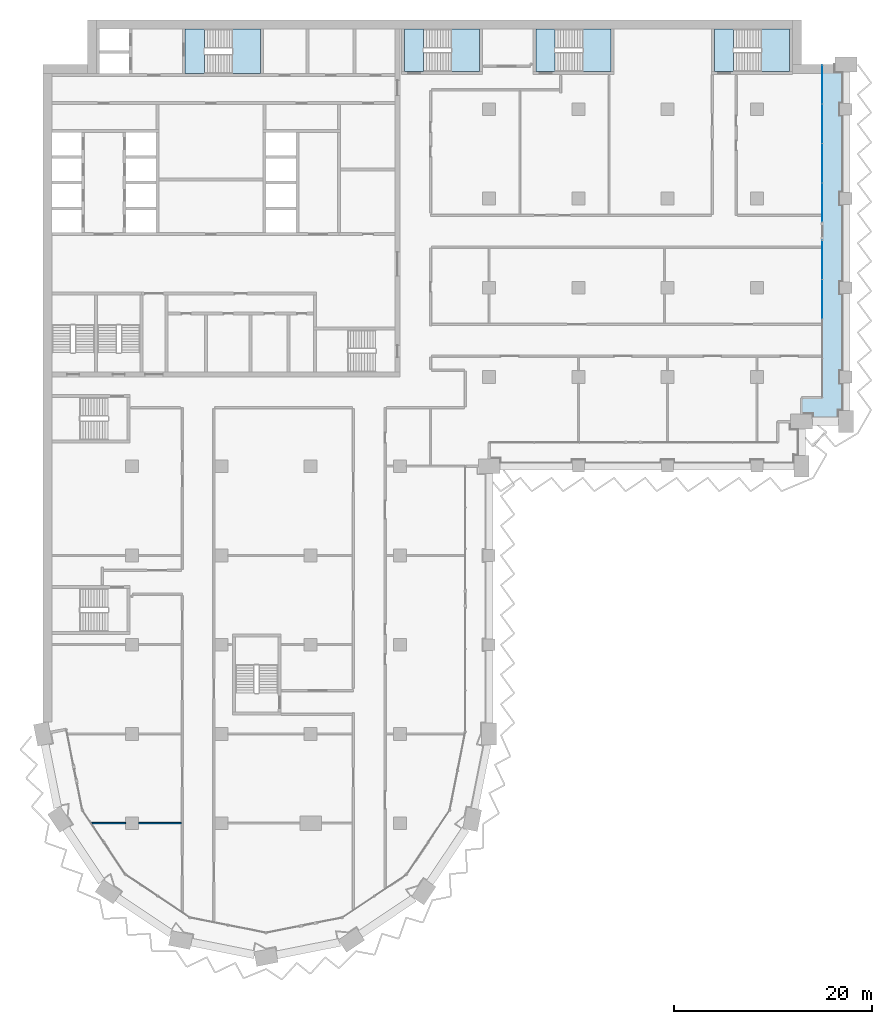
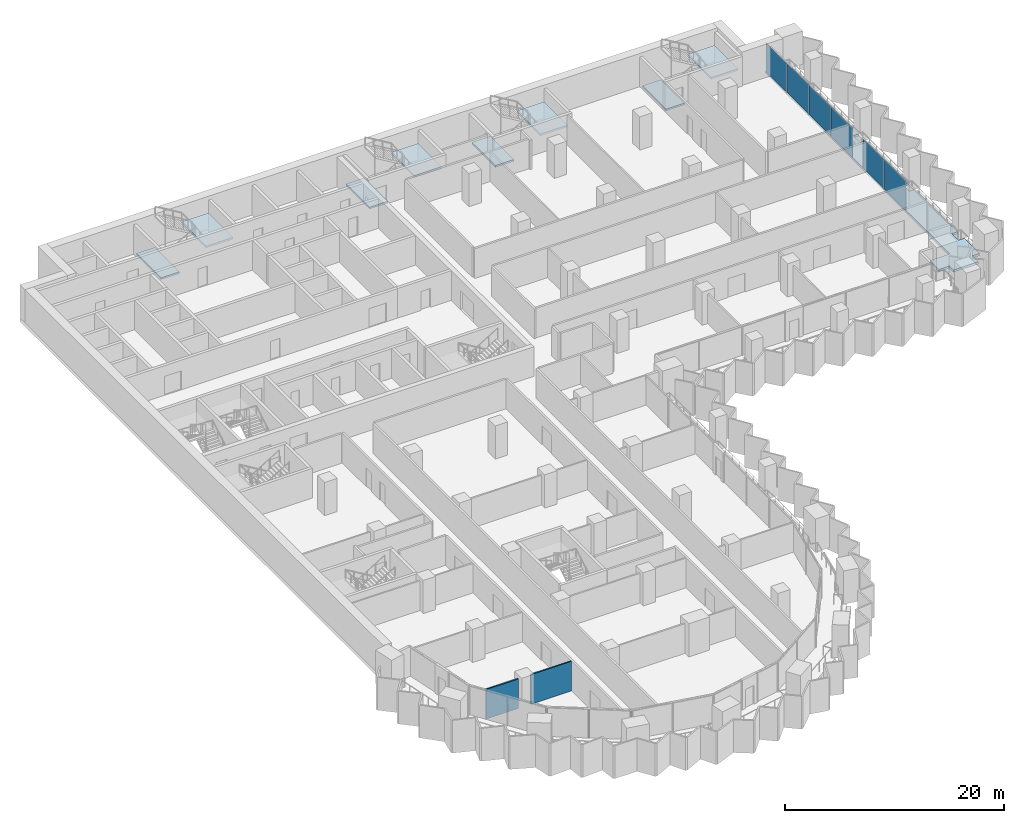
# One storey, part 8 of 23: 9 slabs, 6 plates, 2 walls, 6 elements without a shape of their own.
"""IFC4 building model written with IfcOpenShell, lengths in metres."""

from ifc_helpers import new_model, si_unit, direction, frame, frame_2d, origin, origin_2d, place, context, subcontext, project, spatial, polyline, rectangle, outline, extrude, material, layer, layer_set, type_object, element, aggregate, save


model = new_model("IFC4")

# Units and contexts
model_context = context("Model", 3, precision=1e-05, world=origin(), true_north=direction((0.0, 1.0)))
body_context = subcontext(model_context, "Body", "Model", "MODEL_VIEW")
ifc_project = project(units=[si_unit("LENGTHUNIT", "METRE"), si_unit("AREAUNIT", "SQUARE_METRE"), si_unit("VOLUMEUNIT", "CUBIC_METRE"), si_unit("PLANEANGLEUNIT", "RADIAN"), si_unit("MASSUNIT", "GRAM", prefix="KILO")], contexts=[model_context])

# Site, building, storey
site_placement = place(None, origin())
site = spatial("IfcSite", under=ifc_project, at=site_placement, CompositionType="ELEMENT")
building_placement = place(site_placement, origin())
building = spatial("IfcBuilding", under=site, at=building_placement, Name="Hunhe Ridgeline Campus", CompositionType="ELEMENT")
storey_placement = place(building_placement, frame((0.0, 0.0, 107.0)))
storey = spatial("IfcBuildingStorey", under=building, at=storey_placement, Name="L26", CompositionType="ELEMENT", Elevation=107.0)

# Curtain wall, plates
ifc_material_1 = material(Name="Aluminium 6063", Category="aluminium")
curtain_wall_type = type_object("IfcCurtainWallType", Name="Curtain wall CW-1", PredefinedType="NOTDEFINED", material=ifc_material_1)
curtain_wall_1_placement = place(storey_placement, origin())
curtain_wall_1 = element("IfcCurtainWall", 1, at=curtain_wall_1_placement, inside=storey, type_object=curtain_wall_type, Name="Curtain wall 15", PredefinedType="NOTDEFINED")
ifc_material_2 = material(Name="Low-e laminated glass", Category="glass")
ifc_layer_1 = layer(ifc_material_2, 0.028076171875)
ifc_layer_set_1 = layer_set([ifc_layer_1], Name="Curtain wall glass panel 28 low-e laminated")
plate_type = type_object("IfcPlateType", Name="Curtain wall glass panel 28 low-e laminated", PredefinedType="CURTAIN_PANEL", material=ifc_layer_set_1)
plate_1_placement = place(storey_placement, frame((78.59912109375, 70.838134765625, 0.0), z_axis=(0.0, 0.0, 1.0), x_axis=(0.0, 1.0, 0.0)))
plate_1 = element("IfcPlate", 2, at=plate_1_placement, type_object=plate_type, Name="CW-1 panel 3", PredefinedType="CURTAIN_PANEL", context=body_context, shape_type="SweptSolid", body=[
    extrude(rectangle(XDim=3.914794921875, YDim=0.028076171875, at=origin_2d()), origin(), (0.0, 0.0, 1.0), 3.239990234375),
])
plate_2_placement = place(storey_placement, frame((78.59912109375, 74.798095703125, 0.0), z_axis=(0.0, 0.0, 1.0), x_axis=(0.0, 1.0, 0.0)))
plate_2 = element("IfcPlate", 3, at=plate_2_placement, type_object=plate_type, Name="CW-1 panel 4", PredefinedType="CURTAIN_PANEL", context=body_context, shape_type="SweptSolid", body=[
    extrude(rectangle(XDim=3.884765625, YDim=0.028076171875, at=origin_2d()), origin(), (0.0, 0.0, 1.0), 3.239990234375),
])
aggregate(curtain_wall_1, [plate_1, plate_2])

curtain_wall_2_placement = place(storey_placement, origin())
curtain_wall_2 = element("IfcCurtainWall", 4, at=curtain_wall_2_placement, inside=storey, type_object=curtain_wall_type, Name="Curtain wall 16", PredefinedType="NOTDEFINED")
plate_3_placement = place(storey_placement, frame((78.59912109375, 80.60302734375, 0.0), z_axis=(0.0, 0.0, 1.0), x_axis=(0.0, 1.0, 0.0)))
plate_3 = element("IfcPlate", 5, at=plate_3_placement, type_object=plate_type, Name="CW-1 panel 1", PredefinedType="CURTAIN_PANEL", context=body_context, shape_type="SweptSolid", body=[
    extrude(rectangle(XDim=3.884765625, YDim=0.028076171875, at=origin_2d()), origin(), (0.0, 0.0, 1.0), 3.239990234375),
])
plate_4_placement = place(storey_placement, frame((78.59912109375, 84.562744140625, 0.0), z_axis=(0.0, 0.0, 1.0), x_axis=(0.0, 1.0, 0.0)))
plate_4 = element("IfcPlate", 6, at=plate_4_placement, type_object=plate_type, Name="CW-1 panel 2", PredefinedType="CURTAIN_PANEL", context=body_context, shape_type="SweptSolid", body=[
    extrude(rectangle(XDim=3.914794921875, YDim=0.028076171875, at=origin_2d()), origin(), (0.0, 0.0, 1.0), 3.239990234375),
])
plate_5_placement = place(storey_placement, frame((78.59912109375, 88.53759765625, 0.0), z_axis=(0.0, 0.0, 1.0), x_axis=(0.0, 1.0, 0.0)))
plate_5 = element("IfcPlate", 7, at=plate_5_placement, type_object=plate_type, Name="CW-1 panel 3", PredefinedType="CURTAIN_PANEL", context=body_context, shape_type="SweptSolid", body=[
    extrude(rectangle(XDim=3.914794921875, YDim=0.028076171875, at=origin_2d()), origin(), (0.0, 0.0, 1.0), 3.239990234375),
])
plate_6_placement = place(storey_placement, frame((78.59912109375, 92.49755859375, 0.0), z_axis=(0.0, 0.0, 1.0), x_axis=(0.0, 1.0, 0.0)))
plate_6 = element("IfcPlate", 8, at=plate_6_placement, type_object=plate_type, Name="CW-1 panel 4", PredefinedType="CURTAIN_PANEL", context=body_context, shape_type="SweptSolid", body=[
    extrude(rectangle(XDim=3.884765625, YDim=0.028076171875, at=origin_2d()), origin(), (0.0, 0.0, 1.0), 3.239990234375),
])
aggregate(curtain_wall_2, [plate_3, plate_4, plate_5, plate_6])

# Slab
ifc_material_3 = material(Name="Concrete C40", Category="concrete")
ifc_layer_2 = layer(ifc_material_3, 0.25)
ifc_layer_set_2 = layer_set([ifc_layer_2], Name="Loggia slab 250 Concrete C40")
slab_type_1 = type_object("IfcSlabType", Name="Loggia slab 250 Concrete C40", PredefinedType="FLOOR", material=ifc_layer_set_2)
slab_1_placement = place(storey_placement, frame((0.0, 0.0, -0.25)))
element("IfcSlab", 9, at=slab_1_placement, inside=storey, type_object=slab_type_1, Name="Loggia slab 3", PredefinedType="FLOOR", context=body_context, shape_type="SweptSolid", body=[
    extrude(outline(polyline([(76.5, 59.25), (77.60009765625, 59.25), (77.60009765625, 58.5), (80.25, 58.5), (80.25, 59.60009765625), (81.0, 59.60009765625), (81.0, 62.39990234375), (80.39990234375, 62.39990234375), (80.39990234375, 63.60009765625), (81.0, 63.60009765625), (81.0, 71.39990234375), (80.39990234375, 71.39990234375), (80.39990234375, 72.60009765625), (81.0, 72.60009765625), (81.0, 80.39990234375), (80.39990234375, 80.39990234375), (80.39990234375, 81.60009765625), (81.0, 81.60009765625), (81.0, 89.39990234375), (80.39990234375, 89.39990234375), (80.39990234375, 90.60009765625), (81.0, 90.60009765625), (81.0, 93.75), (79.89990234375, 93.75), (79.89990234375, 94.5), (78.60009765625, 94.5), (78.60009765625, 60.89990234375), (76.5, 60.89990234375), (76.5, 59.25)])), origin(), (0.0, 0.0, 1.0), 0.25),
])

# Stair, slab
stair_type = type_object("IfcStairType", Name="Reinforced concrete dog-leg stair 1950 Concrete C40", PredefinedType="HALF_TURN_STAIR", material=ifc_material_3)
stair_1_placement = place(storey_placement, origin())
stair_1 = element("IfcStair", 10, at=stair_1_placement, inside=storey, type_object=stair_type, Name="L26 S1", PredefinedType="HALF_TURN_STAIR")
ifc_layer_3 = layer(ifc_material_3, 0.199951171875)
ifc_layer_set_3 = layer_set([ifc_layer_3], Name="Reinforced concrete stair landing 200 Concrete C40")
slab_type_2 = type_object("IfcSlabType", Name="Reinforced concrete stair landing 200 Concrete C40", PredefinedType="LANDING", material=ifc_layer_set_3)
slab_2_placement = place(storey_placement, frame((0.0, 0.0, 1.64990234375)))
slab_2 = element("IfcSlab", 11, at=slab_2_placement, type_object=slab_type_2, Name="ST1 landing 1", PredefinedType="LANDING", context=body_context, shape_type="SweptSolid", body=[
    extrude(outline(polyline([(19.10009765625, 93.60009765625), (21.949951171875, 93.60009765625), (21.949951171875, 98.10009765625), (19.10009765625, 98.10009765625), (19.10009765625, 93.60009765625)])), origin(), (0.0, 0.0, 1.0), 0.2001953125),
])
aggregate(stair_1, [slab_2])

# Slab
slab_3_placement = place(storey_placement, frame((0.0, 0.0, -0.199951171875)))
element("IfcSlab", 12, at=slab_3_placement, inside=storey, type_object=slab_type_2, Name="L26 stair S1 floor landing", PredefinedType="LANDING", context=body_context, shape_type="SweptSolid", body=[
    extrude(outline(polyline([(14.35009765625, 93.60009765625), (16.300048828125, 93.60009765625), (16.300048828125, 98.10009765625), (14.35009765625, 98.10009765625), (14.35009765625, 93.60009765625)])), origin(), (0.0, 0.0, 1.0), 0.199951171875),
])

# Stair, slab
stair_2_placement = place(storey_placement, origin())
stair_2 = element("IfcStair", 13, at=stair_2_placement, inside=storey, type_object=stair_type, Name="L26 E1", PredefinedType="HALF_TURN_STAIR")
slab_4_placement = place(storey_placement, frame((0.0, 0.0, 1.64990234375)))
slab_4 = element("IfcSlab", 14, at=slab_4_placement, type_object=slab_type_2, Name="ST5 landing 1", PredefinedType="LANDING", context=body_context, shape_type="SweptSolid", body=[
    extrude(outline(polyline([(41.199951171875, 93.800048828125), (44.050048828125, 93.800048828125), (44.050048828125, 98.10009765625), (41.199951171875, 98.10009765625), (41.199951171875, 93.800048828125)])), origin(), (0.0, 0.0, 1.0), 0.2001953125),
])
aggregate(stair_2, [slab_4])

# Slab
slab_5_placement = place(storey_placement, frame((0.0, 0.0, -0.199951171875)))
element("IfcSlab", 15, at=slab_5_placement, inside=storey, type_object=slab_type_2, Name="L26 stair E1 floor landing", PredefinedType="LANDING", context=body_context, shape_type="SweptSolid", body=[
    extrude(outline(polyline([(36.449951171875, 93.800048828125), (38.39990234375, 93.800048828125), (38.39990234375, 98.10009765625), (36.449951171875, 98.10009765625), (36.449951171875, 93.800048828125)])), origin(), (0.0, 0.0, 1.0), 0.199951171875),
])

# Stair, slab
stair_3_placement = place(storey_placement, origin())
stair_3 = element("IfcStair", 16, at=stair_3_placement, inside=storey, type_object=stair_type, Name="L26 E2", PredefinedType="HALF_TURN_STAIR")
slab_6_placement = place(storey_placement, frame((0.0, 0.0, 1.64990234375)))
slab_6 = element("IfcSlab", 17, at=slab_6_placement, type_object=slab_type_2, Name="ST6 landing 1", PredefinedType="LANDING", context=body_context, shape_type="SweptSolid", body=[
    extrude(outline(polyline([(54.449951171875, 93.800048828125), (57.300048828125, 93.800048828125), (57.300048828125, 98.10009765625), (54.449951171875, 98.10009765625), (54.449951171875, 93.800048828125)])), origin(), (0.0, 0.0, 1.0), 0.2001953125),
])
aggregate(stair_3, [slab_6])

# Slab
slab_7_placement = place(storey_placement, frame((0.0, 0.0, -0.199951171875)))
element("IfcSlab", 18, at=slab_7_placement, inside=storey, type_object=slab_type_2, Name="L26 stair E2 floor landing", PredefinedType="LANDING", context=body_context, shape_type="SweptSolid", body=[
    extrude(outline(polyline([(49.699951171875, 93.800048828125), (51.64990234375, 93.800048828125), (51.64990234375, 98.10009765625), (49.699951171875, 98.10009765625), (49.699951171875, 93.800048828125)])), origin(), (0.0, 0.0, 1.0), 0.199951171875),
])

# Stair, slab
stair_4_placement = place(storey_placement, origin())
stair_4 = element("IfcStair", 19, at=stair_4_placement, inside=storey, type_object=stair_type, Name="L26 E3", PredefinedType="HALF_TURN_STAIR")
slab_8_placement = place(storey_placement, frame((0.0, 0.0, 1.64990234375)))
slab_8 = element("IfcSlab", 20, at=slab_8_placement, type_object=slab_type_2, Name="ST7 landing 1", PredefinedType="LANDING", context=body_context, shape_type="SweptSolid", body=[
    extrude(outline(polyline([(72.449951171875, 93.800048828125), (75.300048828125, 93.800048828125), (75.300048828125, 98.10009765625), (72.449951171875, 98.10009765625), (72.449951171875, 93.800048828125)])), origin(), (0.0, 0.0, 1.0), 0.2001953125),
])
aggregate(stair_4, [slab_8])

# Slab
slab_9_placement = place(storey_placement, frame((0.0, 0.0, -0.199951171875)))
element("IfcSlab", 21, at=slab_9_placement, inside=storey, type_object=slab_type_2, Name="L26 stair E3 floor landing", PredefinedType="LANDING", context=body_context, shape_type="SweptSolid", body=[
    extrude(outline(polyline([(67.699951171875, 93.800048828125), (69.64990234375, 93.800048828125), (69.64990234375, 98.10009765625), (67.699951171875, 98.10009765625), (67.699951171875, 93.800048828125)])), origin(), (0.0, 0.0, 1.0), 0.199951171875),
])

# Walls
ifc_material_4 = material(Name="Gypsum board partition")
ifc_layer_4 = layer(ifc_material_4, 0.14990234375)
ifc_layer_set_4 = layer_set([ifc_layer_4], Name="Room partition 150 gypsum board on steel studs")
wall_type = type_object("IfcWallType", Name="Room partition 150 gypsum board on steel studs", PredefinedType="PARTITIONING", material=ifc_layer_set_4)
wall_1_placement = place(storey_placement, frame((4.925537109375, 18.0, 0.0), z_axis=(0.0, 0.0, 1.0), x_axis=(1.0, 0.0, 0.0)))
element("IfcWall", 22, at=wall_1_placement, inside=storey, type_object=wall_type, Name="F-L26-wall-001", PredefinedType="PARTITIONING", context=body_context, shape_type="SweptSolid", body=[
    extrude(rectangle(XDim=3.424560546875, YDim=0.14990234375, at=frame_2d((1.71240234375, 0.0))), origin(), (0.0, 0.0, 1.0), 3.300048828125),
])
wall_2_placement = place(storey_placement, frame((9.64990234375, 18.0, 0.0), z_axis=(0.0, 0.0, 1.0), x_axis=(1.0, 0.0, 0.0)))
element("IfcWall", 23, at=wall_2_placement, inside=storey, type_object=wall_type, Name="F-L26-wall-002", PredefinedType="PARTITIONING", context=body_context, shape_type="SweptSolid", body=[
    extrude(rectangle(XDim=4.300048828125, YDim=0.14990234375, at=frame_2d((2.14990234375, 0.0))), origin(), (0.0, 0.0, 1.0), 3.300048828125),
])

save(model, "model.ifc")
